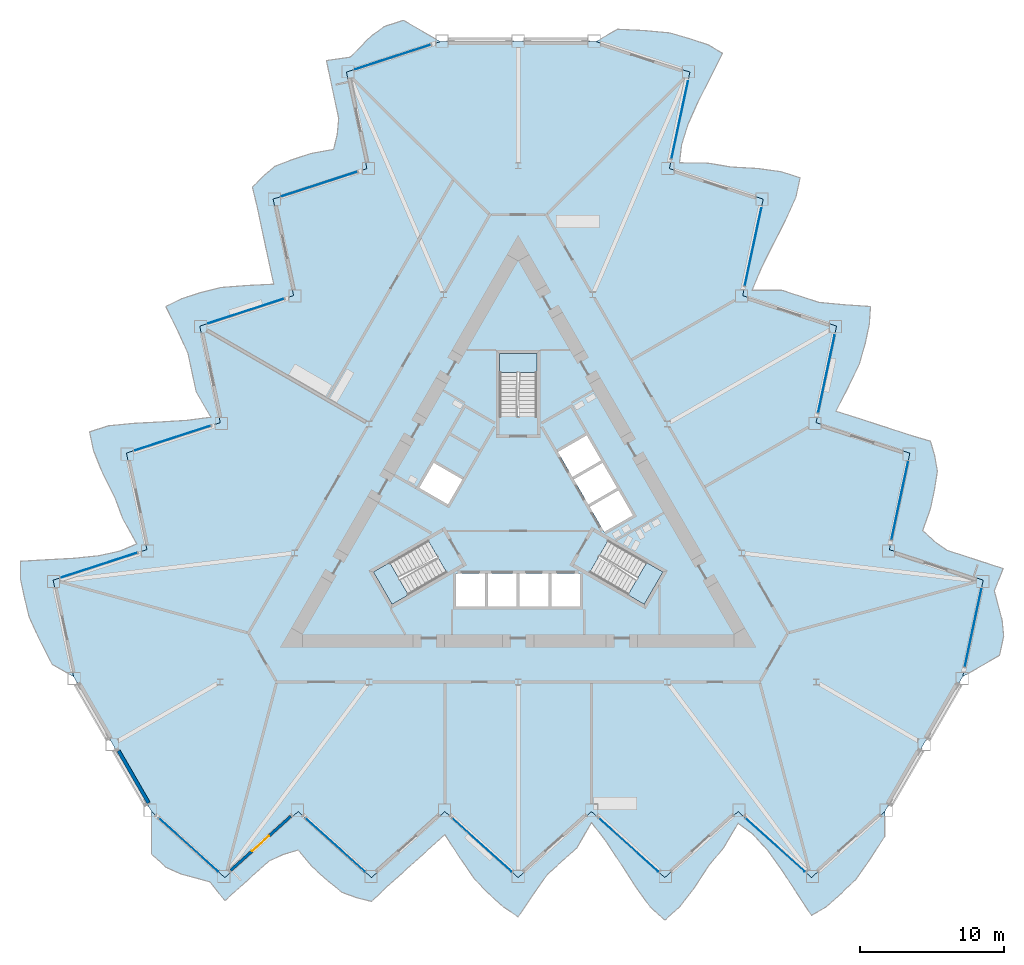
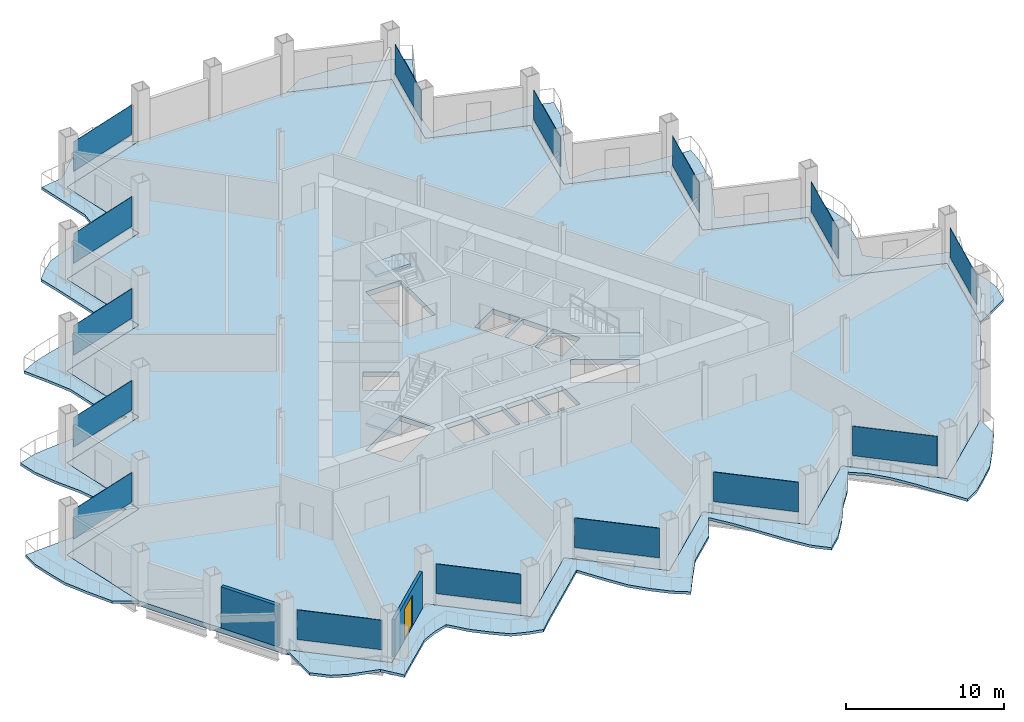
# One storey, part 9 of 21: 15 plates, 7 slabs, 2 walls, 1 door, 1 opening, 18 elements without a shape of their own.
"""IFC4 building model written with IfcOpenShell, lengths in metres."""

from ifc_helpers import new_model, si_unit, direction, frame, frame_2d, origin, origin_2d, place, context, subcontext, project, spatial, polyline, rectangle, outline, extrude, material, layer, layer_set, type_object, element, fill, aggregate, save


model = new_model("IFC4")

# Units and contexts
model_context = context("Model", 3, precision=1e-05, world=origin(), true_north=direction((0.0, 1.0)))
body_context = subcontext(model_context, "Body", "Model", "MODEL_VIEW")
ifc_project = project(units=[si_unit("LENGTHUNIT", "METRE"), si_unit("AREAUNIT", "SQUARE_METRE"), si_unit("VOLUMEUNIT", "CUBIC_METRE"), si_unit("PLANEANGLEUNIT", "RADIAN"), si_unit("MASSUNIT", "GRAM", prefix="KILO")], contexts=[model_context])

# Site, building, storey
site_placement = place(None, origin())
site = spatial("IfcSite", under=ifc_project, at=site_placement, CompositionType="ELEMENT")
building_placement = place(site_placement, origin())
building = spatial("IfcBuilding", under=site, at=building_placement, Name="Cormorant Prow Tower", CompositionType="ELEMENT")
storey_placement = place(building_placement, frame((0.0, 0.0, 150.0)))
storey = spatial("IfcBuildingStorey", under=building, at=storey_placement, Name="L32", CompositionType="ELEMENT", Elevation=150.0)

# Slabs
ifc_material_1 = material(Name="Concrete C40/50", Category="concrete")
ifc_layer_1 = layer(ifc_material_1, 0.199951171875)
ifc_layer_set_1 = layer_set([ifc_layer_1], Name="Concrete C40/50")
slab_type_1 = type_object("IfcSlabType", Name="Balcony slab 200", PredefinedType="FLOOR", material=ifc_layer_set_1)
slab_1_placement = place(storey_placement, frame((0.0, 0.0, -0.199951171875)))
element("IfcSlab", 1, at=slab_1_placement, inside=storey, type_object=slab_type_1, Name="Balcony slab S L32", PredefinedType="FLOOR", context=body_context, shape_type="SweptSolid", body=[
    extrude(outline(polyline([(-25.4072265625, -20.901611328125), (-25.4072265625, -23.851806640625), (-24.390869140625, -24.766845703125), (-23.37451171875, -25.2275390625), (-22.358154296875, -25.49658203125), (-21.342041015625, -25.77978515625), (-20.32568359375, -27.076904296875), (-19.309326171875, -26.161865234375), (-18.293212890625, -25.246826171875), (-17.27685546875, -24.331787109375), (-16.260498046875, -23.867431640625), (-15.244384765625, -23.566162109375), (-14.22802734375, -24.766845703125), (-13.211669921875, -25.681884765625), (-12.1953125, -26.50439453125), (-11.17919921875, -26.87353515625), (-10.162841796875, -27.126708984375), (-9.146484375, -26.161865234375), (-8.13037109375, -25.246826171875), (-7.114013671875, -24.331787109375), (-6.09765625, -23.416748046875), (-5.08154296875, -22.486572265625), (-4.065185546875, -24.064697265625), (-3.048828125, -25.545166015625), (-2.032470703125, -26.596923828125), (-1.016357421875, -27.511962890625), (0.0, -28.193115234375), (1.016357421875, -26.6787109375), (2.032470703125, -25.246826171875), (3.048828125, -24.331787109375), (4.065185546875, -23.416748046875), (5.08154296875, -21.65185546875), (6.09765625, -22.9794921875), (7.114013671875, -24.514892578125), (8.13037109375, -26.0830078125), (9.146484375, -27.500244140625), (10.162841796875, -28.427001953125), (11.17919921875, -27.511962890625), (12.1953125, -26.200439453125), (13.211669921875, -24.648193359375), (14.22802734375, -23.416748046875), (15.244384765625, -21.710693359375), (16.260498046875, -22.46728515625), (17.27685546875, -23.57568359375), (18.293212890625, -24.9814453125), (19.309326171875, -26.54638671875), (20.32568359375, -28.087646484375), (21.342041015625, -27.511962890625), (22.358154296875, -26.596923828125), (23.37451171875, -25.630859375), (24.390869140625, -24.190673828125), (25.4072265625, -22.6171875), (25.4072265625, -20.901611328125), (24.390869140625, -21.816650390625), (23.37451171875, -22.73193359375), (22.358154296875, -23.64697265625), (21.342041015625, -24.56201171875), (20.32568359375, -25.47705078125), (19.309326171875, -24.56201171875), (18.293212890625, -23.64697265625), (17.27685546875, -22.73193359375), (16.260498046875, -21.816650390625), (15.244384765625, -20.901611328125), (14.22802734375, -21.816650390625), (13.211669921875, -22.73193359375), (12.1953125, -23.64697265625), (11.17919921875, -24.56201171875), (10.162841796875, -25.47705078125), (9.146484375, -24.56201171875), (8.13037109375, -23.64697265625), (7.114013671875, -22.73193359375), (6.09765625, -21.816650390625), (5.08154296875, -20.901611328125), (4.065185546875, -21.816650390625), (3.048828125, -22.73193359375), (2.032470703125, -23.64697265625), (1.016357421875, -24.56201171875), (0.0, -25.47705078125), (-1.016357421875, -24.56201171875), (-2.032470703125, -23.64697265625), (-3.048828125, -22.73193359375), (-4.065185546875, -21.816650390625), (-5.08154296875, -20.901611328125), (-6.09765625, -21.816650390625), (-7.114013671875, -22.73193359375), (-8.13037109375, -23.64697265625), (-9.146484375, -24.56201171875), (-10.162841796875, -25.47705078125), (-11.17919921875, -24.56201171875), (-12.1953125, -23.64697265625), (-13.211669921875, -22.73193359375), (-14.22802734375, -21.816650390625), (-15.244384765625, -20.901611328125), (-16.260498046875, -21.816650390625), (-17.27685546875, -22.73193359375), (-18.293212890625, -23.64697265625), (-19.309326171875, -24.56201171875), (-20.32568359375, -25.47705078125), (-21.342041015625, -24.56201171875), (-22.358154296875, -23.64697265625), (-23.37451171875, -22.73193359375), (-24.390869140625, -21.816650390625), (-25.4072265625, -20.901611328125)])), origin(), (0.0, 0.0, 1.0), 0.199951171875),
])
slab_2_placement = place(storey_placement, frame((0.0, 0.0, -0.199951171875)))
element("IfcSlab", 2, at=slab_2_placement, inside=storey, type_object=slab_type_1, Name="Balcony slab ENE L32", PredefinedType="FLOOR", context=body_context, shape_type="SweptSolid", body=[
    extrude(outline(polyline([(30.804931640625, -11.55224609375), (33.359619140625, -10.077392578125), (33.64404296875, -8.73974609375), (33.534912109375, -7.629150390625), (33.259765625, -6.614501953125), (32.996826171875, -5.5927734375), (33.6123046875, -4.06396484375), (32.3115234375, -3.641357421875), (31.010986328125, -3.21875), (29.71044921875, -2.79638671875), (28.800048828125, -2.148193359375), (28.031005859375, -1.4189453125), (28.562744140625, 0.0615234375), (28.846923828125, 1.399169921875), (29.051025390625, 2.690673828125), (28.86279296875, 3.75537109375), (28.573974609375, 4.76220703125), (27.230224609375, 5.159912109375), (25.9296875, 5.58251953125), (24.62890625, 6.005126953125), (23.328369140625, 6.427490234375), (22.0146484375, 6.842529296875), (22.873291015625, 8.511962890625), (23.64697265625, 10.132080078125), (24.0498046875, 11.5380859375), (24.334228515625, 12.875732421875), (24.416015625, 14.096435546875), (22.59619140625, 14.219482421875), (20.84814453125, 14.3837890625), (19.547607421875, 14.806396484375), (18.246826171875, 15.22900390625), (16.21044921875, 15.2265625), (16.85205078125, 16.7705078125), (17.673583984375, 18.41845703125), (18.5234375, 20.08251953125), (19.24267578125, 21.67138671875), (19.537109375, 23.014892578125), (18.236572265625, 23.4375), (16.592529296875, 23.66162109375), (14.739990234375, 23.765625), (13.16552734375, 24.0302734375), (11.179931640625, 24.05712890625), (11.326904296875, 25.315673828125), (11.778564453125, 26.75), (12.488037109375, 28.3330078125), (13.335205078125, 29.99560546875), (14.16162109375, 31.646240234375), (13.155029296875, 32.23876953125), (11.8544921875, 32.661376953125), (10.509521484375, 33.058349609375), (8.75439453125, 33.218505859375), (6.883544921875, 33.311767578125), (5.39794921875, 32.4541015625), (6.698486328125, 32.031494140625), (7.9990234375, 31.60888671875), (9.299560546875, 31.186279296875), (10.600341796875, 30.763671875), (11.90087890625, 30.341064453125), (11.616455078125, 29.00341796875), (11.332275390625, 27.665771484375), (11.0478515625, 26.328125), (10.763671875, 24.990478515625), (10.479248046875, 23.65283203125), (11.77978515625, 23.230224609375), (13.08056640625, 22.8076171875), (14.381103515625, 22.385009765625), (15.681640625, 21.96240234375), (16.982421875, 21.539794921875), (16.697998046875, 20.2021484375), (16.41357421875, 18.864501953125), (16.12939453125, 17.52685546875), (15.844970703125, 16.189208984375), (15.560791015625, 14.8515625), (16.861328125, 14.428955078125), (18.161865234375, 14.00634765625), (19.46240234375, 13.583740234375), (20.76318359375, 13.1611328125), (22.063720703125, 12.738525390625), (21.779541015625, 11.40087890625), (21.4951171875, 10.063232421875), (21.210693359375, 8.7255859375), (20.926513671875, 7.387939453125), (20.64208984375, 6.05029296875), (21.942626953125, 5.627685546875), (23.243408203125, 5.205078125), (24.5439453125, 4.782470703125), (25.844482421875, 4.35986328125), (27.145263671875, 3.937255859375), (26.86083984375, 2.599609375), (26.576416015625, 1.261962890625), (26.292236328125, -0.07568359375), (26.0078125, -1.413330078125), (25.7236328125, -2.7509765625), (27.024169921875, -3.173583984375), (28.32470703125, -3.59619140625), (29.62548828125, -4.018798828125), (30.926025390625, -4.44140625), (32.2265625, -4.864013671875), (31.9423828125, -6.20166015625), (31.657958984375, -7.539306640625), (31.37353515625, -8.876953125), (31.08935546875, -10.214599609375), (30.804931640625, -11.55224609375)])), origin(), (0.0, 0.0, 1.0), 0.199951171875),
])
slab_3_placement = place(storey_placement, frame((0.0, 0.0, -0.199951171875)))
element("IfcSlab", 3, at=slab_3_placement, inside=storey, type_object=slab_type_1, Name="Balcony slab WNW L32", PredefinedType="FLOOR", context=body_context, shape_type="SweptSolid", body=[
    extrude(outline(polyline([(-5.39794921875, 32.4541015625), (-7.95263671875, 33.928955078125), (-9.253173828125, 33.50634765625), (-10.160400390625, 32.856689453125), (-10.901611328125, 32.111083984375), (-11.65478515625, 31.37255859375), (-13.28662109375, 31.14111328125), (-13.002197265625, 29.803466796875), (-12.7177734375, 28.4658203125), (-12.43359375, 27.128173828125), (-12.53955078125, 26.015869140625), (-12.78662109375, 24.98486328125), (-14.334716796875, 24.705078125), (-15.63525390625, 24.282470703125), (-16.855712890625, 23.813720703125), (-17.68359375, 23.1181640625), (-18.4111328125, 22.36474609375), (-18.083740234375, 21.002197265625), (-17.79931640625, 19.66455078125), (-17.514892578125, 18.326904296875), (-17.230712890625, 16.9892578125), (-16.93310546875, 15.643798828125), (-18.80810546875, 15.552978515625), (-20.59814453125, 15.412841796875), (-22.017333984375, 15.05859375), (-23.31787109375, 14.635986328125), (-24.416015625, 14.096435546875), (-23.612548828125, 12.459228515625), (-22.880615234375, 10.86328125), (-22.596435546875, 9.525634765625), (-22.31201171875, 8.187744140625), (-21.291748046875, 6.42529296875), (-22.94970703125, 6.208984375), (-24.78759765625, 6.096435546875), (-26.65380859375, 6.00048828125), (-28.389404296875, 5.8291015625), (-29.699951171875, 5.412109375), (-29.41552734375, 4.074462890625), (-28.787841796875, 2.53857421875), (-27.95166015625, 0.88232421875), (-27.3935546875, -0.613525390625), (-26.424072265625, -2.3466796875), (-27.58740234375, -2.848388671875), (-29.055419921875, -3.17431640625), (-30.781005859375, -3.3515625), (-32.64453125, -3.44921875), (-34.4873046875, -3.558837890625), (-34.4970703125, -4.726806640625), (-34.212646484375, -6.064453125), (-33.88427734375, -7.427490234375), (-33.145263671875, -9.02783203125), (-32.29052734375, -10.694580078125), (-30.804931640625, -11.55224609375), (-31.08935546875, -10.214599609375), (-31.37353515625, -8.876953125), (-31.657958984375, -7.539306640625), (-31.9423828125, -6.20166015625), (-32.2265625, -4.864013671875), (-30.926025390625, -4.44140625), (-29.62548828125, -4.018798828125), (-28.32470703125, -3.59619140625), (-27.024169921875, -3.173583984375), (-25.7236328125, -2.7509765625), (-26.0078125, -1.413330078125), (-26.292236328125, -0.07568359375), (-26.576416015625, 1.261962890625), (-26.86083984375, 2.599609375), (-27.145263671875, 3.937255859375), (-25.844482421875, 4.35986328125), (-24.5439453125, 4.782470703125), (-23.243408203125, 5.205078125), (-21.942626953125, 5.627685546875), (-20.64208984375, 6.05029296875), (-20.926513671875, 7.387939453125), (-21.210693359375, 8.7255859375), (-21.4951171875, 10.063232421875), (-21.779541015625, 11.40087890625), (-22.063720703125, 12.738525390625), (-20.76318359375, 13.1611328125), (-19.46240234375, 13.583740234375), (-18.161865234375, 14.00634765625), (-16.861328125, 14.428955078125), (-15.560791015625, 14.8515625), (-15.844970703125, 16.189208984375), (-16.12939453125, 17.52685546875), (-16.41357421875, 18.864501953125), (-16.697998046875, 20.2021484375), (-16.982421875, 21.539794921875), (-15.681640625, 21.96240234375), (-14.381103515625, 22.385009765625), (-13.08056640625, 22.8076171875), (-11.77978515625, 23.230224609375), (-10.479248046875, 23.65283203125), (-10.763671875, 24.990478515625), (-11.0478515625, 26.328125), (-11.332275390625, 27.665771484375), (-11.616455078125, 29.00341796875), (-11.90087890625, 30.341064453125), (-10.600341796875, 30.763671875), (-9.299560546875, 31.186279296875), (-7.9990234375, 31.60888671875), (-6.698486328125, 32.031494140625), (-5.39794921875, 32.4541015625)])), origin(), (0.0, 0.0, 1.0), 0.199951171875),
])

# Curtain wall, plate
ifc_material_2 = material(Name="Aluminium 6063-T6", Category="aluminium")
ifc_layer_2 = layer(ifc_material_2, 0.199951171875)
ifc_layer_set_2 = layer_set([ifc_layer_2], Name="Aluminium 6063-T6")
curtain_wall_type = type_object("IfcCurtainWallType", Name="Office unitised curtain wall 200", PredefinedType="NOTDEFINED", material=ifc_layer_set_2)
curtain_wall_1_placement = place(storey_placement, origin())
curtain_wall_1 = element("IfcCurtainWall", 4, at=curtain_wall_1_placement, inside=storey, type_object=curtain_wall_type, Name="Office curtain wall S00", PredefinedType="NOTDEFINED")
ifc_material_3 = material(Name="Clear glass", Category="glass")
ifc_layer_3 = layer(ifc_material_3, 0.031982421875)
ifc_layer_set_3 = layer_set([ifc_layer_3], Name="Clear glass")
plate_type = type_object("IfcPlateType", Name="Office glass panel 32", PredefinedType="CURTAIN_PANEL", material=ifc_layer_set_3)
plate_1_placement = place(storey_placement, frame((-22.843994140625, -23.20947265625, 0.89990234375), z_axis=(0.0, 0.0, 1.0), x_axis=(0.743144943349, -0.669130475449, 0.0)))
plate_1 = element("IfcPlate", 5, at=plate_1_placement, type_object=plate_type, Name="Office glass panel S00", PredefinedType="CURTAIN_PANEL", context=body_context, shape_type="SweptSolid", body=[
    extrude(rectangle(XDim=5.505615234375, YDim=0.031982421875, at=origin_2d()), origin(), (0.0, 0.0, 1.0), 2.288818359375),
])
aggregate(curtain_wall_1, [plate_1])

curtain_wall_2_placement = place(storey_placement, origin())
curtain_wall_2 = element("IfcCurtainWall", 6, at=curtain_wall_2_placement, inside=storey, type_object=curtain_wall_type, Name="Office curtain wall S02", PredefinedType="NOTDEFINED")
plate_2_placement = place(storey_placement, frame((-12.68115234375, -23.20947265625, 0.89990234375), z_axis=(0.0, 0.0, 1.0), x_axis=(0.743144877867, -0.669130548174, 0.0)))
plate_2 = element("IfcPlate", 7, at=plate_2_placement, type_object=plate_type, Name="Office glass panel S02", PredefinedType="CURTAIN_PANEL", context=body_context, shape_type="SweptSolid", body=[
    extrude(rectangle(XDim=5.505615234375, YDim=0.031982421875, at=origin_2d()), origin(), (0.0, 0.0, 1.0), 2.288818359375),
])
aggregate(curtain_wall_2, [plate_2])

curtain_wall_3_placement = place(storey_placement, origin())
curtain_wall_3 = element("IfcCurtainWall", 8, at=curtain_wall_3_placement, inside=storey, type_object=curtain_wall_type, Name="Office curtain wall S04", PredefinedType="NOTDEFINED")
plate_3_placement = place(storey_placement, frame((-2.518310546875, -23.20947265625, 0.89990234375), z_axis=(0.0, 0.0, 1.0), x_axis=(0.743144877867, -0.669130548174, 0.0)))
plate_3 = element("IfcPlate", 9, at=plate_3_placement, type_object=plate_type, Name="Office glass panel S04", PredefinedType="CURTAIN_PANEL", context=body_context, shape_type="SweptSolid", body=[
    extrude(rectangle(XDim=5.505615234375, YDim=0.031982421875, at=origin_2d()), origin(), (0.0, 0.0, 1.0), 2.288818359375),
])
aggregate(curtain_wall_3, [plate_3])

curtain_wall_4_placement = place(storey_placement, origin())
curtain_wall_4 = element("IfcCurtainWall", 10, at=curtain_wall_4_placement, inside=storey, type_object=curtain_wall_type, Name="Office curtain wall S06", PredefinedType="NOTDEFINED")
plate_4_placement = place(storey_placement, frame((7.64453125, -23.20947265625, 0.89990234375), z_axis=(0.0, 0.0, 1.0), x_axis=(0.743144877867, -0.669130548174, 0.0)))
plate_4 = element("IfcPlate", 11, at=plate_4_placement, type_object=plate_type, Name="Office glass panel S06", PredefinedType="CURTAIN_PANEL", context=body_context, shape_type="SweptSolid", body=[
    extrude(rectangle(XDim=5.505615234375, YDim=0.031982421875, at=origin_2d()), origin(), (0.0, 0.0, 1.0), 2.288818359375),
])
aggregate(curtain_wall_4, [plate_4])

curtain_wall_5_placement = place(storey_placement, origin())
curtain_wall_5 = element("IfcCurtainWall", 12, at=curtain_wall_5_placement, inside=storey, type_object=curtain_wall_type, Name="Office curtain wall S08", PredefinedType="NOTDEFINED")
plate_5_placement = place(storey_placement, frame((17.807373046875, -23.20947265625, 0.89990234375), z_axis=(0.0, 0.0, 1.0), x_axis=(0.743144877867, -0.669130548174, 0.0)))
plate_5 = element("IfcPlate", 13, at=plate_5_placement, type_object=plate_type, Name="Office glass panel S08", PredefinedType="CURTAIN_PANEL", context=body_context, shape_type="SweptSolid", body=[
    extrude(rectangle(XDim=5.505615234375, YDim=0.031982421875, at=origin_2d()), origin(), (0.0, 0.0, 1.0), 2.288818359375),
])
aggregate(curtain_wall_5, [plate_5])

curtain_wall_6_placement = place(storey_placement, origin())
curtain_wall_6 = element("IfcCurtainWall", 14, at=curtain_wall_6_placement, inside=storey, type_object=curtain_wall_type, Name="Office curtain wall ENE00", PredefinedType="NOTDEFINED")
plate_6_placement = place(storey_placement, frame((31.52197265625, -8.178955078125, 0.89990234375), z_axis=(0.0, 0.0, 1.0), x_axis=(0.207911666046, 0.978147605999, 0.0)))
plate_6 = element("IfcPlate", 15, at=plate_6_placement, type_object=plate_type, Name="Office glass panel ENE00", PredefinedType="CURTAIN_PANEL", context=body_context, shape_type="SweptSolid", body=[
    extrude(rectangle(XDim=5.505615234375, YDim=0.031982421875, at=origin_2d()), origin(), (0.0, 0.0, 1.0), 2.288818359375),
])
aggregate(curtain_wall_6, [plate_6])

curtain_wall_7_placement = place(storey_placement, origin())
curtain_wall_7 = element("IfcCurtainWall", 16, at=curtain_wall_7_placement, inside=storey, type_object=curtain_wall_type, Name="Office curtain wall ENE02", PredefinedType="NOTDEFINED")
plate_7_placement = place(storey_placement, frame((26.440673828125, 0.622314453125, 0.89990234375), z_axis=(0.0, 0.0, 1.0), x_axis=(0.207911805985, 0.978147576254, 0.0)))
plate_7 = element("IfcPlate", 17, at=plate_7_placement, type_object=plate_type, Name="Office glass panel ENE02", PredefinedType="CURTAIN_PANEL", context=body_context, shape_type="SweptSolid", body=[
    extrude(rectangle(XDim=5.505615234375, YDim=0.031982421875, at=origin_2d()), origin(), (0.0, 0.0, 1.0), 2.288818359375),
])
aggregate(curtain_wall_7, [plate_7])

curtain_wall_8_placement = place(storey_placement, origin())
curtain_wall_8 = element("IfcCurtainWall", 18, at=curtain_wall_8_placement, inside=storey, type_object=curtain_wall_type, Name="Office curtain wall ENE04", PredefinedType="NOTDEFINED")
plate_8_placement = place(storey_placement, frame((21.359130859375, 9.423583984375, 0.89990234375), z_axis=(0.0, 0.0, 1.0), x_axis=(0.207911666046, 0.978147605999, 0.0)))
plate_8 = element("IfcPlate", 19, at=plate_8_placement, type_object=plate_type, Name="Office glass panel ENE04", PredefinedType="CURTAIN_PANEL", context=body_context, shape_type="SweptSolid", body=[
    extrude(rectangle(XDim=5.505615234375, YDim=0.031982421875, at=origin_2d()), origin(), (0.0, 0.0, 1.0), 2.288818359375),
])
aggregate(curtain_wall_8, [plate_8])

curtain_wall_9_placement = place(storey_placement, origin())
curtain_wall_9 = element("IfcCurtainWall", 20, at=curtain_wall_9_placement, inside=storey, type_object=curtain_wall_type, Name="Office curtain wall ENE06", PredefinedType="NOTDEFINED")
plate_9_placement = place(storey_placement, frame((16.27783203125, 18.22509765625, 0.89990234375), z_axis=(0.0, 0.0, 1.0), x_axis=(0.207911695803, 0.978147599674, 0.0)))
plate_9 = element("IfcPlate", 21, at=plate_9_placement, type_object=plate_type, Name="Office glass panel ENE06", PredefinedType="CURTAIN_PANEL", context=body_context, shape_type="SweptSolid", body=[
    extrude(rectangle(XDim=5.505615234375, YDim=0.031982421875, at=origin_2d()), origin(), (0.0, 0.0, 1.0), 2.288818359375),
])
aggregate(curtain_wall_9, [plate_9])

curtain_wall_10_placement = place(storey_placement, origin())
curtain_wall_10 = element("IfcCurtainWall", 22, at=curtain_wall_10_placement, inside=storey, type_object=curtain_wall_type, Name="Office curtain wall ENE08", PredefinedType="NOTDEFINED")
plate_10_placement = place(storey_placement, frame((11.1962890625, 27.0263671875, 0.89990234375), z_axis=(0.0, 0.0, 1.0), x_axis=(0.207911666046, 0.978147605999, 0.0)))
plate_10 = element("IfcPlate", 23, at=plate_10_placement, type_object=plate_type, Name="Office glass panel ENE08", PredefinedType="CURTAIN_PANEL", context=body_context, shape_type="SweptSolid", body=[
    extrude(rectangle(XDim=5.505615234375, YDim=0.031982421875, at=origin_2d()), origin(), (0.0, 0.0, 1.0), 2.288818359375),
])
aggregate(curtain_wall_10, [plate_10])

curtain_wall_11_placement = place(storey_placement, origin())
curtain_wall_11 = element("IfcCurtainWall", 24, at=curtain_wall_11_placement, inside=storey, type_object=curtain_wall_type, Name="Office curtain wall WNW00", PredefinedType="NOTDEFINED")
plate_11_placement = place(storey_placement, frame((-8.677978515625, 31.38818359375, 0.89990234375), z_axis=(0.0, 0.0, 1.0), x_axis=(-0.951056511101, -0.30901701036, 0.0)))
plate_11 = element("IfcPlate", 25, at=plate_11_placement, type_object=plate_type, Name="Office glass panel WNW00", PredefinedType="CURTAIN_PANEL", context=body_context, shape_type="SweptSolid", body=[
    extrude(rectangle(XDim=5.505615234375, YDim=0.031982421875, at=origin_2d()), origin(), (0.0, 0.0, 1.0), 2.288818359375),
])
aggregate(curtain_wall_11, [plate_11])

curtain_wall_12_placement = place(storey_placement, origin())
curtain_wall_12 = element("IfcCurtainWall", 26, at=curtain_wall_12_placement, inside=storey, type_object=curtain_wall_type, Name="Office curtain wall WNW02", PredefinedType="NOTDEFINED")
plate_12_placement = place(storey_placement, frame((-13.75927734375, 22.5869140625, 0.89990234375), z_axis=(0.0, 0.0, 1.0), x_axis=(-0.951056511101, -0.30901701036, 0.0)))
plate_12 = element("IfcPlate", 27, at=plate_12_placement, type_object=plate_type, Name="Office glass panel WNW02", PredefinedType="CURTAIN_PANEL", context=body_context, shape_type="SweptSolid", body=[
    extrude(rectangle(XDim=5.505615234375, YDim=0.031982421875, at=origin_2d()), origin(), (0.0, 0.0, 1.0), 2.288818359375),
])
aggregate(curtain_wall_12, [plate_12])

curtain_wall_13_placement = place(storey_placement, origin())
curtain_wall_13 = element("IfcCurtainWall", 28, at=curtain_wall_13_placement, inside=storey, type_object=curtain_wall_type, Name="Office curtain wall WNW04", PredefinedType="NOTDEFINED")
plate_13_placement = place(storey_placement, frame((-18.8408203125, 13.78564453125, 0.89990234375), z_axis=(0.0, 0.0, 1.0), x_axis=(-0.951056511101, -0.30901701036, 0.0)))
plate_13 = element("IfcPlate", 29, at=plate_13_placement, type_object=plate_type, Name="Office glass panel WNW04", PredefinedType="CURTAIN_PANEL", context=body_context, shape_type="SweptSolid", body=[
    extrude(rectangle(XDim=5.505615234375, YDim=0.031982421875, at=origin_2d()), origin(), (0.0, 0.0, 1.0), 2.288818359375),
])
aggregate(curtain_wall_13, [plate_13])

curtain_wall_14_placement = place(storey_placement, origin())
curtain_wall_14 = element("IfcCurtainWall", 30, at=curtain_wall_14_placement, inside=storey, type_object=curtain_wall_type, Name="Office curtain wall WNW06", PredefinedType="NOTDEFINED")
plate_14_placement = place(storey_placement, frame((-23.922119140625, 4.984375, 0.89990234375), z_axis=(0.0, 0.0, 1.0), x_axis=(-0.951056525065, -0.309016967385, 0.0)))
plate_14 = element("IfcPlate", 31, at=plate_14_placement, type_object=plate_type, Name="Office glass panel WNW06", PredefinedType="CURTAIN_PANEL", context=body_context, shape_type="SweptSolid", body=[
    extrude(rectangle(XDim=5.505615234375, YDim=0.031982421875, at=origin_2d()), origin(), (0.0, 0.0, 1.0), 2.288818359375),
])
aggregate(curtain_wall_14, [plate_14])

curtain_wall_15_placement = place(storey_placement, origin())
curtain_wall_15 = element("IfcCurtainWall", 32, at=curtain_wall_15_placement, inside=storey, type_object=curtain_wall_type, Name="Office curtain wall WNW08", PredefinedType="NOTDEFINED")
plate_15_placement = place(storey_placement, frame((-29.003662109375, -3.81689453125, 0.89990234375), z_axis=(0.0, 0.0, 1.0), x_axis=(-0.951056525065, -0.309016967385, 0.0)))
plate_15 = element("IfcPlate", 33, at=plate_15_placement, type_object=plate_type, Name="Office glass panel WNW08", PredefinedType="CURTAIN_PANEL", context=body_context, shape_type="SweptSolid", body=[
    extrude(rectangle(XDim=5.505615234375, YDim=0.031982421875, at=origin_2d()), origin(), (0.0, 0.0, 1.0), 2.288818359375),
])
aggregate(curtain_wall_15, [plate_15])

# Slab
ifc_material_4 = material(Name="Concrete C40/50", Category="concrete")
ifc_layer_4 = layer(ifc_material_4, 0.39990234375)
ifc_layer_set_4 = layer_set([ifc_layer_4], Name="Concrete C40/50")
slab_type_2 = type_object("IfcSlabType", Name="Post-tensioned flat slab 400", PredefinedType="FLOOR", material=ifc_layer_set_4)
slab_4_placement = place(storey_placement, frame((0.0, 0.0, -0.39990234375)))
element("IfcSlab", 34, at=slab_4_placement, inside=storey, type_object=slab_type_2, Name="Floor slab L32", PredefinedType="FLOOR", context=body_context, shape_type="SweptSolid", body=[
    extrude(outline(polyline([(-11.90087890625, 30.341064453125), (-10.479248046875, 23.65283203125), (-16.982421875, 21.539794921875), (-15.560791015625, 14.8515625), (-22.063720703125, 12.738525390625), (-20.64208984375, 6.05029296875), (-27.145263671875, 3.937255859375), (-25.7236328125, -2.7509765625), (-32.2265625, -4.864013671875), (-30.804931640625, -11.55224609375), (-28.10595703125, -16.22705078125), (-25.4072265625, -20.901611328125), (-20.32568359375, -25.47705078125), (-15.244384765625, -20.901611328125), (-10.162841796875, -25.47705078125), (-5.08154296875, -20.901611328125), (0.0, -25.47705078125), (5.08154296875, -20.901611328125), (10.162841796875, -25.47705078125), (15.244384765625, -20.901611328125), (20.32568359375, -25.47705078125), (25.4072265625, -20.901611328125), (28.10595703125, -16.22705078125), (30.804931640625, -11.55224609375), (32.2265625, -4.864013671875), (25.7236328125, -2.7509765625), (27.145263671875, 3.937255859375), (20.64208984375, 6.05029296875), (22.063720703125, 12.738525390625), (15.560791015625, 14.8515625), (16.982421875, 21.539794921875), (10.479248046875, 23.65283203125), (11.90087890625, 30.341064453125), (5.39794921875, 32.4541015625), (0.0, 32.4541015625), (-5.39794921875, 32.4541015625), (-11.90087890625, 30.341064453125)]), holes=[polyline([(-4.300048828125, -6.699951171875), (-4.300048828125, -4.39990234375), (-2.300048828125, -4.39990234375), (-2.300048828125, -6.699951171875), (-4.300048828125, -6.699951171875)]), polyline([(-2.10009765625, -4.39990234375), (-0.10009765625, -4.39990234375), (-0.10009765625, -6.699951171875), (-2.10009765625, -6.699951171875), (-2.10009765625, -4.39990234375)]), polyline([(2.10009765625, -4.39990234375), (2.10009765625, -6.699951171875), (0.10009765625, -6.699951171875), (0.10009765625, -4.39990234375), (2.10009765625, -4.39990234375)]), polyline([(4.300048828125, -6.699951171875), (2.300048828125, -6.699951171875), (2.300048828125, -4.39990234375), (4.300048828125, -4.39990234375), (4.300048828125, -6.699951171875)]), polyline([(7.952392578125, -0.373779296875), (5.96044921875, -1.52392578125), (4.96044921875, 0.2080078125), (6.952392578125, 1.358154296875), (7.952392578125, -0.373779296875)]), polyline([(4.860595703125, 0.38134765625), (3.860595703125, 2.11328125), (5.852294921875, 3.263427734375), (6.852294921875, 1.53125), (4.860595703125, 0.38134765625)]), polyline([(2.760498046875, 4.018798828125), (4.75244140625, 5.168701171875), (5.75244140625, 3.4365234375), (3.760498046875, 2.28662109375), (2.760498046875, 4.018798828125)]), polyline([(-6.852294921875, 1.53125), (-5.852294921875, 3.263427734375), (-3.860595703125, 2.11328125), (-4.860595703125, 0.38134765625), (-6.852294921875, 1.53125)]), polyline([(-4.947509765625, -4.3505859375), (-8.738037109375, -6.5390625), (-10.031982421875, -4.2978515625), (-6.241455078125, -2.109375), (-4.947509765625, -4.3505859375)]), polyline([(10.031982421875, -4.2978515625), (8.738037109375, -6.5390625), (4.947509765625, -4.3505859375), (6.241455078125, -2.109375), (10.031982421875, -4.2978515625)]), polyline([(1.2939453125, 10.8369140625), (1.2939453125, 6.459716796875), (-1.2939453125, 6.459716796875), (-1.2939453125, 10.8369140625), (1.2939453125, 10.8369140625)])]), origin(), (0.0, 0.0, 1.0), 0.39990234375),
])

# Stair, slab
ifc_material_5 = material(Name="Exit stair 24 risers")
stair_type = type_object("IfcStairType", Name="Exit stair 24 risers", PredefinedType="HALF_TURN_STAIR", material=ifc_material_5)
stair_1_placement = place(storey_placement, origin())
stair_1 = element("IfcStair", 35, at=stair_1_placement, inside=storey, type_object=stair_type, Name="L32 Exit stair ST1", PredefinedType="HALF_TURN_STAIR")
ifc_material_6 = material(Name="Concrete 5000 psi", Category="concrete")
ifc_layer_5 = layer(ifc_material_6, 0.199951171875)
ifc_layer_set_5 = layer_set([ifc_layer_5], Name="Concrete 5000 psi")
slab_type_3 = type_object("IfcSlabType", Name="Stair landing 200", PredefinedType="LANDING", material=ifc_layer_set_5)
slab_5_placement = place(storey_placement, frame((0.0, 0.0, 1.89990234375)))
slab_5 = element("IfcSlab", 36, at=slab_5_placement, type_object=slab_type_3, Name="ST1 landing 1", PredefinedType="LANDING", context=body_context, shape_type="SweptSolid", body=[
    extrude(outline(polyline([(-8.90185546875, -3.645263671875), (-10.031982421875, -4.2978515625), (-8.738037109375, -6.5390625), (-7.60791015625, -5.886474609375), (-8.90185546875, -3.645263671875)])), origin(), (0.0, 0.0, 1.0), 0.2001953125),
])
aggregate(stair_1, [slab_5])

stair_2_placement = place(storey_placement, origin())
stair_2 = element("IfcStair", 37, at=stair_2_placement, inside=storey, type_object=stair_type, Name="L32 Exit stair ST2", PredefinedType="HALF_TURN_STAIR")
slab_6_placement = place(storey_placement, frame((0.0, 0.0, 1.89990234375)))
slab_6 = element("IfcSlab", 38, at=slab_6_placement, type_object=slab_type_3, Name="ST2 landing 1", PredefinedType="LANDING", context=body_context, shape_type="SweptSolid", body=[
    extrude(outline(polyline([(7.60791015625, -5.886474609375), (8.738037109375, -6.5390625), (10.031982421875, -4.2978515625), (8.90185546875, -3.645263671875), (7.60791015625, -5.886474609375)])), origin(), (0.0, 0.0, 1.0), 0.2001953125),
])
aggregate(stair_2, [slab_6])

stair_3_placement = place(storey_placement, origin())
stair_3 = element("IfcStair", 39, at=stair_3_placement, inside=storey, type_object=stair_type, Name="L32 Exit stair ST3", PredefinedType="HALF_TURN_STAIR")
slab_7_placement = place(storey_placement, frame((0.0, 0.0, 1.89990234375)))
slab_7 = element("IfcSlab", 40, at=slab_7_placement, type_object=slab_type_3, Name="ST3 landing 1", PredefinedType="LANDING", context=body_context, shape_type="SweptSolid", body=[
    extrude(outline(polyline([(1.2939453125, 9.53173828125), (1.2939453125, 10.8369140625), (-1.2939453125, 10.8369140625), (-1.2939453125, 9.53173828125), (1.2939453125, 9.53173828125)])), origin(), (0.0, 0.0, 1.0), 0.2001953125),
])
aggregate(stair_3, [slab_7])

# Wall
ifc_material_7 = material(Name="Terracotta", Category="masonry")
ifc_layer_6 = layer(ifc_material_7, 0.25)
ifc_layer_set_6 = layer_set([ifc_layer_6], Name="Terracotta")
wall_type_1 = type_object("IfcWallType", Name="Terracotta bay wall 250", PredefinedType="SOLIDWALL", material=ifc_layer_set_6)
wall_1_placement = place(storey_placement, frame((-27.6923828125, -16.693359375, 0.0), z_axis=(0.0, 0.0, 1.0), x_axis=(0.500002690545, -0.866023850392, 0.0)))
element("IfcWall", 41, at=wall_1_placement, inside=storey, type_object=wall_type_1, Name="Terracotta bay wall WSW01", PredefinedType="SOLIDWALL", context=body_context, shape_type="SweptSolid", body=[
    extrude(rectangle(XDim=4.1728515625, YDim=0.25, at=frame_2d((2.08642578125, 0.0))), origin(), (0.0, 0.0, 1.0), 3.18896484375),
])

# Wall, opening, door
ifc_material_8 = material(Name="Terracotta", Category="masonry")
ifc_layer_7 = layer(ifc_material_8, 0.199951171875)
ifc_layer_set_7 = layer_set([ifc_layer_7], Name="Terracotta")
wall_type_2 = type_object("IfcWallType", Name="Terracotta jamb wall 200", PredefinedType="SOLIDWALL", material=ifc_layer_set_7)
wall_2_placement = place(storey_placement, frame((-19.919921875, -24.97705078125, 0.0), z_axis=(0.0, 0.0, 1.0), x_axis=(0.743146822591, 0.669128388333, 0.0)))
wall_2 = element("IfcWall", 42, at=wall_2_placement, inside=storey, type_object=wall_type_2, Name="Terracotta jamb wall S01", PredefinedType="SOLIDWALL", context=body_context, shape_type="SweptSolid", body=[
    extrude(rectangle(XDim=5.60400390625, YDim=0.199951171875, at=frame_2d((2.802001953125, 0.0))), origin(), (0.0, 0.0, 1.0), 2.88525390625),
])
opening_placement = place(wall_2_placement, frame((1.98291015625, 0.0, 0.0)))
opening = element("IfcOpeningElement", 43, at=opening_placement, cuts=wall_2, Name="Opening ED32.01", PredefinedType="OPENING", context=body_context, shape_type="SweptSolid", body=[
    extrude(rectangle(XDim=1.60009765625, YDim=2.39990234375, at=frame_2d((0.800048828125, 1.199951171875))), frame((0.0, 0.10986328125, 0.0), z_axis=(0.0, -1.0, 0.0), x_axis=(1.0, 0.0, 0.0)), (0.0, 0.0, 1.0), 0.219970703125),
])
ifc_material_9 = material(Name="Aluminium 6063-T6", Category="aluminium")
door_type = type_object("IfcDoorType", Name="Balcony door 1600x2400", OperationType="DOUBLE_DOOR_SINGLE_SWING", PredefinedType="DOOR", material=ifc_material_9)
door_placement = place(opening_placement, origin())
door = element("IfcDoor", 44, at=door_placement, inside=storey, type_object=door_type, Name="Balcony door S01 ED32.01", OperationType="DOUBLE_DOOR_SINGLE_SWING", OverallHeight=2.39990234375, OverallWidth=1.60009765625, PredefinedType="DOOR", context=body_context, shape_type="SweptSolid", body=[
    extrude(rectangle(XDim=1.60009765625, YDim=2.39990234375, at=frame_2d((0.800048828125, 1.199951171875))), frame((0.0, 0.02490234375, 0.0), z_axis=(0.0, -1.0, 0.0), x_axis=(1.0, 0.0, 0.0)), (0.0, 0.0, 1.0), 0.050048828125),
])
fill(opening, door)

save(model, "model.ifc")
